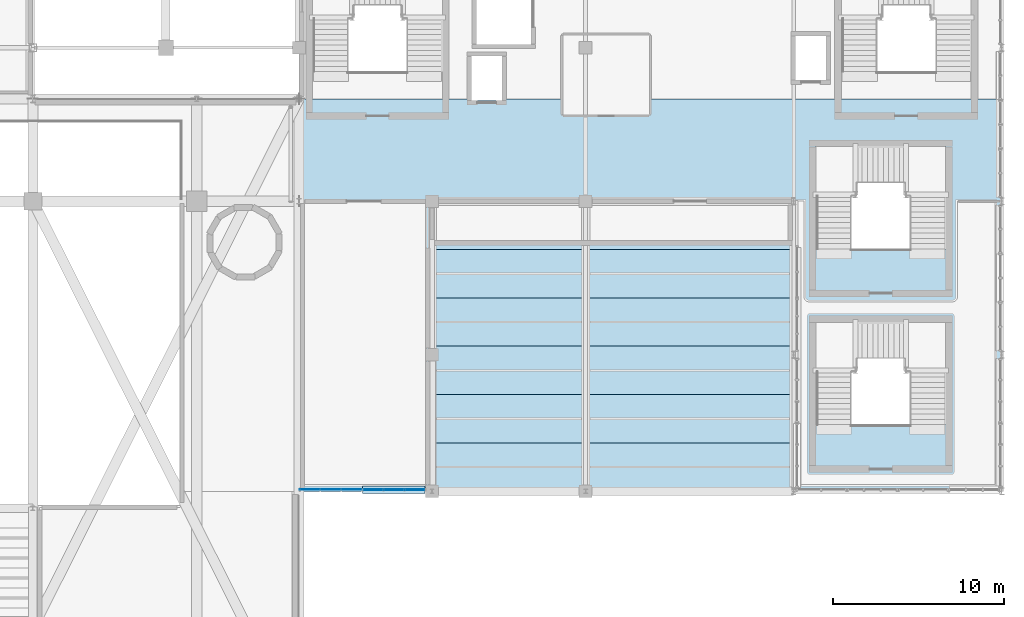
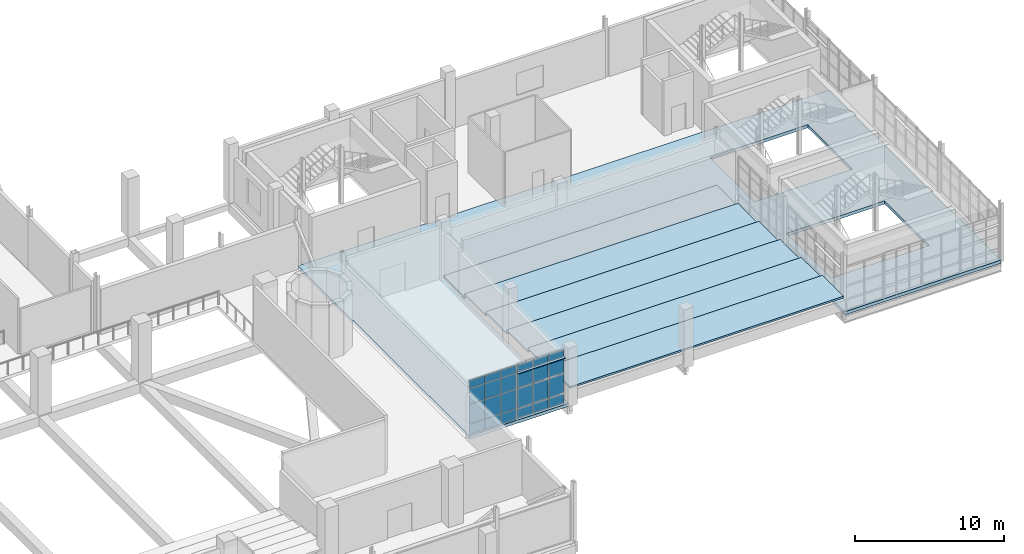
# One storey, part 69 of 100: 25 plates, 7 slabs, 2 elements without a shape of their own.
"""IFC4 building model written with IfcOpenShell, lengths in metres."""

from ifc_helpers import new_model, si_unit, derived_unit, direction, frame, origin, origin_2d, place, context, subcontext, project, spatial, polyline, rectangle, outline, extrude, material, layer, layer_set, type_object, element, aggregate, save


model = new_model("IFC4")

# Units and contexts
model_context = context("Model", 3, precision=1e-05, world=origin(), true_north=direction((0.0, 1.0)))
body_context = subcontext(model_context, "Body", "Model", "MODEL_VIEW")
ifc_project = project(units=[si_unit("LENGTHUNIT", "METRE"), si_unit("AREAUNIT", "SQUARE_METRE"), si_unit("VOLUMEUNIT", "CUBIC_METRE"), si_unit("PLANEANGLEUNIT", "RADIAN"), si_unit("MASSUNIT", "GRAM", prefix="KILO"), derived_unit("THERMALTRANSMITTANCEUNIT", [(si_unit("POWERUNIT", "WATT"), 1), (si_unit("LENGTHUNIT", "METRE"), -2), (si_unit("THERMODYNAMICTEMPERATUREUNIT", "KELVIN"), -1)])], contexts=[model_context])

# Site, building, storey
site_placement = place(None, origin())
site = spatial("IfcSite", under=ifc_project, at=site_placement, CompositionType="ELEMENT")
building_placement = place(site_placement, origin())
building = spatial("IfcBuilding", under=site, at=building_placement, Name="Nallur Shell Playhouse", CompositionType="ELEMENT")
storey_placement = place(building_placement, frame((0.0, 0.0, 10.199951171875)))
storey = spatial("IfcBuildingStorey", under=building, at=storey_placement, Name="L03", CompositionType="ELEMENT", Elevation=10.199951171875)

# Curtain wall, plates
ifc_material_1 = material(Name="Anodised Aluminium Double-Glazed Facade System", Category="aluminium")
ifc_layer_1 = layer(ifc_material_1, 0.1640625)
ifc_layer_set_1 = layer_set([ifc_layer_1], Name="Anodised Aluminium Double-Glazed Facade System")
curtain_wall_type_1 = type_object("IfcCurtainWallType", Name="CW-UNIT-01", PredefinedType="NOTDEFINED", material=ifc_layer_set_1)
curtain_wall_1_placement = place(storey_placement, origin())
curtain_wall_1 = element("IfcCurtainWall", 1, at=curtain_wall_1_placement, inside=storey, type_object=curtain_wall_type_1, Name="Unitised curtain wall CW-097 (L03)", PredefinedType="NOTDEFINED")
ifc_material_2 = material(Name="Solar-Control Low-E Laminated Insulating Glass", Category="glass")
ifc_layer_2 = layer(ifc_material_2, 0.02587890625)
ifc_layer_set_2 = layer_set([ifc_layer_2], Name="Solar-Control Low-E Laminated Insulating Glass")
plate_type_1 = type_object("IfcPlateType", Name="PT-GLZ-01", PredefinedType="CURTAIN_PANEL", material=ifc_layer_set_2)
plate_1_placement = place(storey_placement, frame((121.669921875, 24.090087890625, 0.05712890625), z_axis=(0.0, 0.0, 1.0), x_axis=(-1.0, 0.0, 0.0)))
plate_1 = element("IfcPlate", 2, at=plate_1_placement, type_object=plate_type_1, Name="CW-01 panel 1.1", PredefinedType="CURTAIN_PANEL", context=body_context, shape_type="SweptSolid", body=[
    extrude(rectangle(XDim=1.153076171875, YDim=0.02587890625, at=origin_2d()), origin(), (0.0, 0.0, 1.0), 0.818603515625),
])
plate_2_placement = place(storey_placement, frame((121.669921875, 24.090087890625, 0.924560546875), z_axis=(0.0, 0.0, 1.0), x_axis=(-1.0, 0.0, 0.0)))
plate_2 = element("IfcPlate", 3, at=plate_2_placement, type_object=plate_type_1, Name="CW-01 panel 1.2", PredefinedType="CURTAIN_PANEL", context=body_context, shape_type="SweptSolid", body=[
    extrude(rectangle(XDim=1.153076171875, YDim=0.02587890625, at=origin_2d()), origin(), (0.0, 0.0, 1.0), 1.58203125),
])
plate_3_placement = place(storey_placement, frame((121.669921875, 24.090087890625, 2.5556640625), z_axis=(0.0, 0.0, 1.0), x_axis=(-1.0, 0.0, 0.0)))
plate_3 = element("IfcPlate", 4, at=plate_3_placement, type_object=plate_type_1, Name="CW-01 panel 1.3", PredefinedType="CURTAIN_PANEL", context=body_context, shape_type="SweptSolid", body=[
    extrude(rectangle(XDim=1.153076171875, YDim=0.02587890625, at=origin_2d()), origin(), (0.0, 0.0, 1.0), 1.260009765625),
])
plate_4_placement = place(storey_placement, frame((121.669921875, 24.090087890625, 3.86474609375), z_axis=(0.0, 0.0, 1.0), x_axis=(-1.0, 0.0, 0.0)))
plate_4 = element("IfcPlate", 5, at=plate_4_placement, type_object=plate_type_1, Name="CW-01 panel 1.4", PredefinedType="CURTAIN_PANEL", context=body_context, shape_type="SweptSolid", body=[
    extrude(rectangle(XDim=1.153076171875, YDim=0.02587890625, at=origin_2d()), origin(), (0.0, 0.0, 1.0), 0.598388671875),
])
plate_5_placement = place(storey_placement, frame((120.45166015625, 24.090087890625, 0.05712890625), z_axis=(0.0, 0.0, 1.0), x_axis=(-1.0, 0.0, 0.0)))
plate_5 = element("IfcPlate", 6, at=plate_5_placement, type_object=plate_type_1, Name="CW-01 panel 2.1", PredefinedType="CURTAIN_PANEL", context=body_context, shape_type="SweptSolid", body=[
    extrude(rectangle(XDim=1.185546875, YDim=0.02587890625, at=origin_2d()), origin(), (0.0, 0.0, 1.0), 0.818603515625),
])
plate_6_placement = place(storey_placement, frame((120.45166015625, 24.090087890625, 0.924560546875), z_axis=(0.0, 0.0, 1.0), x_axis=(-1.0, 0.0, 0.0)))
plate_6 = element("IfcPlate", 7, at=plate_6_placement, type_object=plate_type_1, Name="CW-01 panel 2.2", PredefinedType="CURTAIN_PANEL", context=body_context, shape_type="SweptSolid", body=[
    extrude(rectangle(XDim=1.185546875, YDim=0.02587890625, at=origin_2d()), origin(), (0.0, 0.0, 1.0), 1.58203125),
])
plate_7_placement = place(storey_placement, frame((120.45166015625, 24.090087890625, 2.5556640625), z_axis=(0.0, 0.0, 1.0), x_axis=(-1.0, 0.0, 0.0)))
plate_7 = element("IfcPlate", 8, at=plate_7_placement, type_object=plate_type_1, Name="CW-01 panel 2.3", PredefinedType="CURTAIN_PANEL", context=body_context, shape_type="SweptSolid", body=[
    extrude(rectangle(XDim=1.185546875, YDim=0.02587890625, at=origin_2d()), origin(), (0.0, 0.0, 1.0), 1.260009765625),
])
plate_8_placement = place(storey_placement, frame((120.45166015625, 24.090087890625, 3.86474609375), z_axis=(0.0, 0.0, 1.0), x_axis=(-1.0, 0.0, 0.0)))
plate_8 = element("IfcPlate", 9, at=plate_8_placement, type_object=plate_type_1, Name="CW-01 panel 2.4", PredefinedType="CURTAIN_PANEL", context=body_context, shape_type="SweptSolid", body=[
    extrude(rectangle(XDim=1.185546875, YDim=0.02587890625, at=origin_2d()), origin(), (0.0, 0.0, 1.0), 0.598388671875),
])
plate_9_placement = place(storey_placement, frame((119.2333984375, 24.090087890625, 0.05712890625), z_axis=(0.0, 0.0, 1.0), x_axis=(-1.0, 0.0, 0.0)))
plate_9 = element("IfcPlate", 10, at=plate_9_placement, type_object=plate_type_1, Name="CW-01 panel 3.1", PredefinedType="CURTAIN_PANEL", context=body_context, shape_type="SweptSolid", body=[
    extrude(rectangle(XDim=1.153076171875, YDim=0.02587890625, at=origin_2d()), origin(), (0.0, 0.0, 1.0), 0.818603515625),
])
plate_10_placement = place(storey_placement, frame((119.2333984375, 24.090087890625, 0.924560546875), z_axis=(0.0, 0.0, 1.0), x_axis=(-1.0, 0.0, 0.0)))
plate_10 = element("IfcPlate", 11, at=plate_10_placement, type_object=plate_type_1, Name="CW-01 panel 3.2", PredefinedType="CURTAIN_PANEL", context=body_context, shape_type="SweptSolid", body=[
    extrude(rectangle(XDim=1.153076171875, YDim=0.02587890625, at=origin_2d()), origin(), (0.0, 0.0, 1.0), 1.58203125),
])
plate_11_placement = place(storey_placement, frame((119.2333984375, 24.090087890625, 2.5556640625), z_axis=(0.0, 0.0, 1.0), x_axis=(-1.0, 0.0, 0.0)))
plate_11 = element("IfcPlate", 12, at=plate_11_placement, type_object=plate_type_1, Name="CW-01 panel 3.3", PredefinedType="CURTAIN_PANEL", context=body_context, shape_type="SweptSolid", body=[
    extrude(rectangle(XDim=1.153076171875, YDim=0.02587890625, at=origin_2d()), origin(), (0.0, 0.0, 1.0), 1.260009765625),
])
plate_12_placement = place(storey_placement, frame((119.2333984375, 24.090087890625, 3.86474609375), z_axis=(0.0, 0.0, 1.0), x_axis=(-1.0, 0.0, 0.0)))
plate_12 = element("IfcPlate", 13, at=plate_12_placement, type_object=plate_type_1, Name="CW-01 panel 3.4", PredefinedType="CURTAIN_PANEL", context=body_context, shape_type="SweptSolid", body=[
    extrude(rectangle(XDim=1.153076171875, YDim=0.02587890625, at=origin_2d()), origin(), (0.0, 0.0, 1.0), 0.598388671875),
])
aggregate(curtain_wall_1, [plate_1, plate_2, plate_3, plate_4, plate_5, plate_6, plate_7, plate_8, plate_9, plate_10, plate_11, plate_12])

ifc_layer_3 = layer(ifc_material_1, 0.16796875)
ifc_layer_set_3 = layer_set([ifc_layer_3], Name="Anodised Aluminium Double-Glazed Facade System")
curtain_wall_type_2 = type_object("IfcCurtainWallType", Name="CW-UNIT-32", PredefinedType="NOTDEFINED", material=ifc_layer_set_3)
curtain_wall_2_placement = place(storey_placement, origin())
curtain_wall_2 = element("IfcCurtainWall", 14, at=curtain_wall_2_placement, inside=storey, type_object=curtain_wall_type_2, Name="Unitised curtain wall CW-096 (L03)", PredefinedType="NOTDEFINED")
ifc_layer_4 = layer(ifc_material_2, 0.0400390625)
ifc_layer_set_4 = layer_set([ifc_layer_4], Name="Solar-Control Low-E Laminated Insulating Glass")
plate_type_2 = type_object("IfcPlateType", Name="PT-GLZ-08", PredefinedType="CURTAIN_PANEL", material=ifc_layer_set_4)
plate_13_placement = place(storey_placement, frame((125.381103515625, 24.090087890625, 0.092041015625), z_axis=(0.0, 0.0, 1.0), x_axis=(-1.0, 0.0, 0.0)))
plate_13 = element("IfcPlate", 15, at=plate_13_placement, type_object=plate_type_2, Name="CW-32 panel 1.1", PredefinedType="CURTAIN_PANEL", context=body_context, shape_type="SweptSolid", body=[
    extrude(rectangle(XDim=1.137939453125, YDim=0.0400390625, at=origin_2d()), origin(), (0.0, 0.0, 1.0), 0.76611328125),
])
plate_14_placement = place(storey_placement, frame((125.381103515625, 24.090087890625, 0.94189453125), z_axis=(0.0, 0.0, 1.0), x_axis=(-1.0, 0.0, 0.0)))
plate_14 = element("IfcPlate", 16, at=plate_14_placement, type_object=plate_type_2, Name="CW-32 panel 1.2", PredefinedType="CURTAIN_PANEL", context=body_context, shape_type="SweptSolid", body=[
    extrude(rectangle(XDim=1.137939453125, YDim=0.0400390625, at=origin_2d()), origin(), (0.0, 0.0, 1.0), 1.55810546875),
])
plate_15_placement = place(storey_placement, frame((125.381103515625, 24.090087890625, 2.583984375), z_axis=(0.0, 0.0, 1.0), x_axis=(-1.0, 0.0, 0.0)))
plate_15 = element("IfcPlate", 17, at=plate_15_placement, type_object=plate_type_2, Name="CW-32 panel 1.3", PredefinedType="CURTAIN_PANEL", context=body_context, shape_type="SweptSolid", body=[
    extrude(rectangle(XDim=1.137939453125, YDim=0.0400390625, at=origin_2d()), origin(), (0.0, 0.0, 1.0), 1.23388671875),
])
plate_16_placement = place(storey_placement, frame((125.381103515625, 24.090087890625, 3.902099609375), z_axis=(0.0, 0.0, 1.0), x_axis=(-1.0, 0.0, 0.0)))
plate_16 = element("IfcPlate", 18, at=plate_16_placement, type_object=plate_type_2, Name="CW-32 panel 1.4", PredefinedType="CURTAIN_PANEL", context=body_context, shape_type="SweptSolid", body=[
    extrude(rectangle(XDim=1.137939453125, YDim=0.0400390625, at=origin_2d()), origin(), (0.0, 0.0, 1.0), 0.5458984375),
])
plate_17_placement = place(storey_placement, frame((124.165283203125, 24.090087890625, 0.092041015625), z_axis=(0.0, 0.0, 1.0), x_axis=(-1.0, 0.0, 0.0)))
plate_17 = element("IfcPlate", 19, at=plate_17_placement, type_object=plate_type_2, Name="CW-32 panel 2.1", PredefinedType="CURTAIN_PANEL", context=body_context, shape_type="SweptSolid", body=[
    extrude(rectangle(XDim=1.175537109375, YDim=0.0400390625, at=origin_2d()), origin(), (0.0, 0.0, 1.0), 0.76611328125),
])
plate_18_placement = place(storey_placement, frame((124.165283203125, 24.090087890625, 0.94189453125), z_axis=(0.0, 0.0, 1.0), x_axis=(-1.0, 0.0, 0.0)))
plate_18 = element("IfcPlate", 20, at=plate_18_placement, type_object=plate_type_2, Name="CW-32 panel 2.2", PredefinedType="CURTAIN_PANEL", context=body_context, shape_type="SweptSolid", body=[
    extrude(rectangle(XDim=1.175537109375, YDim=0.0400390625, at=origin_2d()), origin(), (0.0, 0.0, 1.0), 1.55810546875),
])
plate_19_placement = place(storey_placement, frame((124.165283203125, 24.090087890625, 2.583984375), z_axis=(0.0, 0.0, 1.0), x_axis=(-1.0, 0.0, 0.0)))
plate_19 = element("IfcPlate", 21, at=plate_19_placement, type_object=plate_type_2, Name="CW-32 panel 2.3", PredefinedType="CURTAIN_PANEL", context=body_context, shape_type="SweptSolid", body=[
    extrude(rectangle(XDim=1.175537109375, YDim=0.0400390625, at=origin_2d()), origin(), (0.0, 0.0, 1.0), 1.23388671875),
])
plate_20_placement = place(storey_placement, frame((124.165283203125, 24.090087890625, 3.902099609375), z_axis=(0.0, 0.0, 1.0), x_axis=(-1.0, 0.0, 0.0)))
plate_20 = element("IfcPlate", 22, at=plate_20_placement, type_object=plate_type_2, Name="CW-32 panel 2.4", PredefinedType="CURTAIN_PANEL", context=body_context, shape_type="SweptSolid", body=[
    extrude(rectangle(XDim=1.175537109375, YDim=0.0400390625, at=origin_2d()), origin(), (0.0, 0.0, 1.0), 0.5458984375),
])
plate_21_placement = place(storey_placement, frame((122.949462890625, 24.090087890625, 0.092041015625), z_axis=(0.0, 0.0, 1.0), x_axis=(-1.0, 0.0, 0.0)))
plate_21 = element("IfcPlate", 23, at=plate_21_placement, type_object=plate_type_2, Name="CW-32 panel 3.1", PredefinedType="CURTAIN_PANEL", context=body_context, shape_type="SweptSolid", body=[
    extrude(rectangle(XDim=1.137939453125, YDim=0.0400390625, at=origin_2d()), origin(), (0.0, 0.0, 1.0), 0.76611328125),
])
plate_22_placement = place(storey_placement, frame((122.949462890625, 24.090087890625, 0.94189453125), z_axis=(0.0, 0.0, 1.0), x_axis=(-1.0, 0.0, 0.0)))
plate_22 = element("IfcPlate", 24, at=plate_22_placement, type_object=plate_type_2, Name="CW-32 panel 3.2", PredefinedType="CURTAIN_PANEL", context=body_context, shape_type="SweptSolid", body=[
    extrude(rectangle(XDim=1.137939453125, YDim=0.0400390625, at=origin_2d()), origin(), (0.0, 0.0, 1.0), 1.55810546875),
])
plate_23_placement = place(storey_placement, frame((122.949462890625, 24.090087890625, 2.583984375), z_axis=(0.0, 0.0, 1.0), x_axis=(-1.0, 0.0, 0.0)))
plate_23 = element("IfcPlate", 25, at=plate_23_placement, type_object=plate_type_2, Name="CW-32 panel 3.3", PredefinedType="CURTAIN_PANEL", context=body_context, shape_type="SweptSolid", body=[
    extrude(rectangle(XDim=1.137939453125, YDim=0.0400390625, at=origin_2d()), origin(), (0.0, 0.0, 1.0), 1.23388671875),
])
plate_24_placement = place(storey_placement, frame((122.949462890625, 24.090087890625, 3.902099609375), z_axis=(0.0, 0.0, 1.0), x_axis=(-1.0, 0.0, 0.0)))
plate_24 = element("IfcPlate", 26, at=plate_24_placement, type_object=plate_type_2, Name="CW-32 panel 3.4", PredefinedType="CURTAIN_PANEL", context=body_context, shape_type="SweptSolid", body=[
    extrude(rectangle(XDim=1.137939453125, YDim=0.0400390625, at=origin_2d()), origin(), (0.0, 0.0, 1.0), 0.5458984375),
])
aggregate(curtain_wall_2, [plate_13, plate_14, plate_15, plate_16, plate_17, plate_18, plate_19, plate_20, plate_21, plate_22, plate_23, plate_24])

# Plate
ifc_material_3 = material(Name="Terracotta & Gold-Anodised Monsoon Sunshade Blade", Category="masonry")
ifc_layer_5 = layer(ifc_material_3, 0.06005859375)
ifc_layer_set_5 = layer_set([ifc_layer_5], Name="Terracotta & Gold-Anodised Monsoon Sunshade Blade")
plate_type_3 = type_object("IfcPlateType", Name="PT-LOUVRE-04", PredefinedType="USERDEFINED", material=ifc_layer_set_5)
plate_25_placement = place(storey_placement, frame((124.165283203125, 24.090087890625, 3.830078125), z_axis=(0.0, 0.0, 1.0), x_axis=(-1.0, 0.0, 0.0)))
element("IfcPlate", 27, at=plate_25_placement, inside=storey, type_object=plate_type_3, Name="Monsoon sunshade louvre blade LV-024", ObjectType="SUNSHADE LOUVRE", PredefinedType="USERDEFINED", context=body_context, shape_type="SweptSolid", body=[
    extrude(rectangle(XDim=3.6640625, YDim=0.419921875, at=origin_2d()), origin(), (0.0, 0.0, 1.0), 0.06005859375),
])

# Slabs
ifc_material_4 = material(Name="Concrete M30", Category="concrete")
ifc_layer_6 = layer(ifc_material_4, 0.260009765625)
ifc_layer_set_6 = layer_set([ifc_layer_6], Name="Concrete M30")
slab_type_1 = type_object("IfcSlabType", Name="SL-FLOOR-260", PredefinedType="FLOOR", material=ifc_layer_set_6)
slab_1_placement = place(storey_placement, frame((0.0, 0.0, -0.260009765625)))
element("IfcSlab", 28, at=slab_1_placement, inside=storey, type_object=slab_type_1, Name="L03 structural floor slab panel 19", PredefinedType="FLOOR", context=body_context, shape_type="SweptSolid", body=[
    extrude(outline(polyline([(159.800048828125, 24.0), (147.699951171875, 24.0), (147.699951171875, 38.39990234375), (126.300048828125, 38.39990234375), (126.300048828125, 24.0), (118.60009765625, 24.0), (118.60009765625, 47.0), (128.699951171875, 47.0), (128.699951171875, 46.89990234375), (130.5, 46.89990234375), (130.5, 47.0), (159.800048828125, 47.0), (159.800048828125, 24.0)]), holes=[polyline([(156.5, 27.89990234375), (156.5, 33.89990234375), (148.89990234375, 33.89990234375), (148.89990234375, 27.89990234375), (156.5, 27.89990234375)]), polyline([(156.5, 38.199951171875), (156.5, 44.199951171875), (148.89990234375, 44.199951171875), (148.89990234375, 38.199951171875), (156.5, 38.199951171875)])]), origin(), (0.0, 0.0, 1.0), 0.260009765625),
])
ifc_material_5 = material(Name="Precast concrete M40", Category="concrete")
ifc_layer_7 = layer(ifc_material_5, 0.139892578125)
ifc_layer_set_7 = layer_set([ifc_layer_7], Name="Precast concrete M40")
slab_type_2 = type_object("IfcSlabType", Name="SL-TIER-140", PredefinedType="USERDEFINED", material=ifc_layer_set_7)
slab_2_placement = place(storey_placement, frame((0.0, 0.0, -0.0400390625)))
element("IfcSlab", 29, at=slab_2_placement, inside=storey, type_object=slab_type_2, Name="Stand studio seating tier row 1", ObjectType="SEATING TIER", PredefinedType="USERDEFINED", context=body_context, shape_type="SweptSolid", body=[
    extrude(outline(polyline([(126.39990234375, 41.0), (147.60009765625, 41.0), (147.60009765625, 38.166748046875), (126.39990234375, 38.166748046875), (126.39990234375, 41.0)])), origin(), (0.0, 0.0, 1.0), 0.14013671875),
])
slab_3_placement = place(storey_placement, frame((0.0, 0.0, 0.199951171875)))
element("IfcSlab", 30, at=slab_3_placement, inside=storey, type_object=slab_type_2, Name="Stand studio seating tier row 2", ObjectType="SEATING TIER", PredefinedType="USERDEFINED", context=body_context, shape_type="SweptSolid", body=[
    extrude(outline(polyline([(126.39990234375, 38.166748046875), (147.60009765625, 38.166748046875), (147.60009765625, 35.333251953125), (126.39990234375, 35.333251953125), (126.39990234375, 38.166748046875)])), origin(), (0.0, 0.0, 1.0), 0.14013671875),
])
slab_4_placement = place(storey_placement, frame((0.0, 0.0, 0.43994140625)))
element("IfcSlab", 31, at=slab_4_placement, inside=storey, type_object=slab_type_2, Name="Stand studio seating tier row 3", ObjectType="SEATING TIER", PredefinedType="USERDEFINED", context=body_context, shape_type="SweptSolid", body=[
    extrude(outline(polyline([(126.39990234375, 35.333251953125), (147.60009765625, 35.333251953125), (147.60009765625, 32.5), (126.39990234375, 32.5), (126.39990234375, 35.333251953125)])), origin(), (0.0, 0.0, 1.0), 0.14013671875),
])
slab_5_placement = place(storey_placement, frame((0.0, 0.0, 0.679931640625)))
element("IfcSlab", 32, at=slab_5_placement, inside=storey, type_object=slab_type_2, Name="Stand studio seating tier row 4", ObjectType="SEATING TIER", PredefinedType="USERDEFINED", context=body_context, shape_type="SweptSolid", body=[
    extrude(outline(polyline([(126.39990234375, 32.5), (147.60009765625, 32.5), (147.60009765625, 29.666748046875), (126.39990234375, 29.666748046875), (126.39990234375, 32.5)])), origin(), (0.0, 0.0, 1.0), 0.14013671875),
])
slab_6_placement = place(storey_placement, frame((0.0, 0.0, 0.920166015625)))
element("IfcSlab", 33, at=slab_6_placement, inside=storey, type_object=slab_type_2, Name="Stand studio seating tier row 5", ObjectType="SEATING TIER", PredefinedType="USERDEFINED", context=body_context, shape_type="SweptSolid", body=[
    extrude(outline(polyline([(126.39990234375, 29.666748046875), (147.60009765625, 29.666748046875), (147.60009765625, 26.833251953125), (126.39990234375, 26.833251953125), (126.39990234375, 29.666748046875)])), origin(), (0.0, 0.0, 1.0), 0.139892578125),
])
slab_7_placement = place(storey_placement, frame((0.0, 0.0, 1.16015625)))
element("IfcSlab", 34, at=slab_7_placement, inside=storey, type_object=slab_type_2, Name="Stand studio seating tier row 6", ObjectType="SEATING TIER", PredefinedType="USERDEFINED", context=body_context, shape_type="SweptSolid", body=[
    extrude(outline(polyline([(126.39990234375, 26.833251953125), (147.60009765625, 26.833251953125), (147.60009765625, 24.0), (126.39990234375, 24.0), (126.39990234375, 26.833251953125)])), origin(), (0.0, 0.0, 1.0), 0.139892578125),
])

save(model, "model.ifc")
